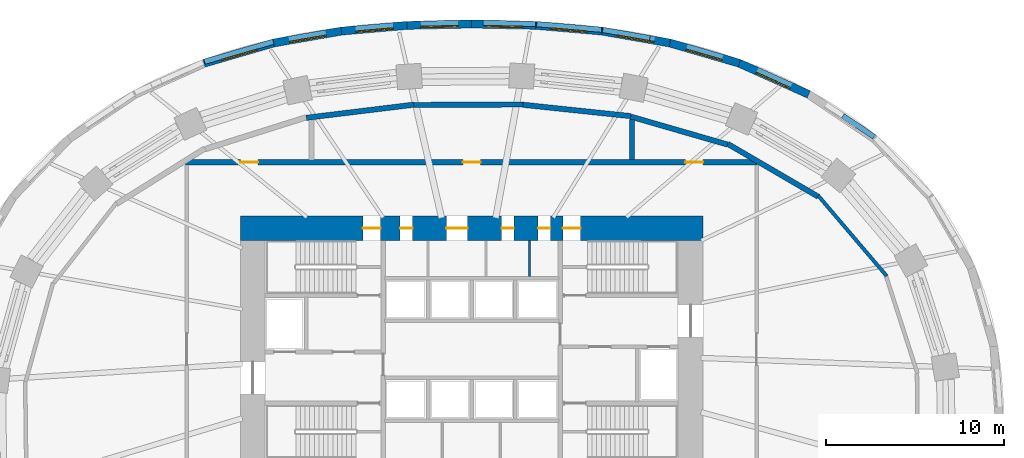
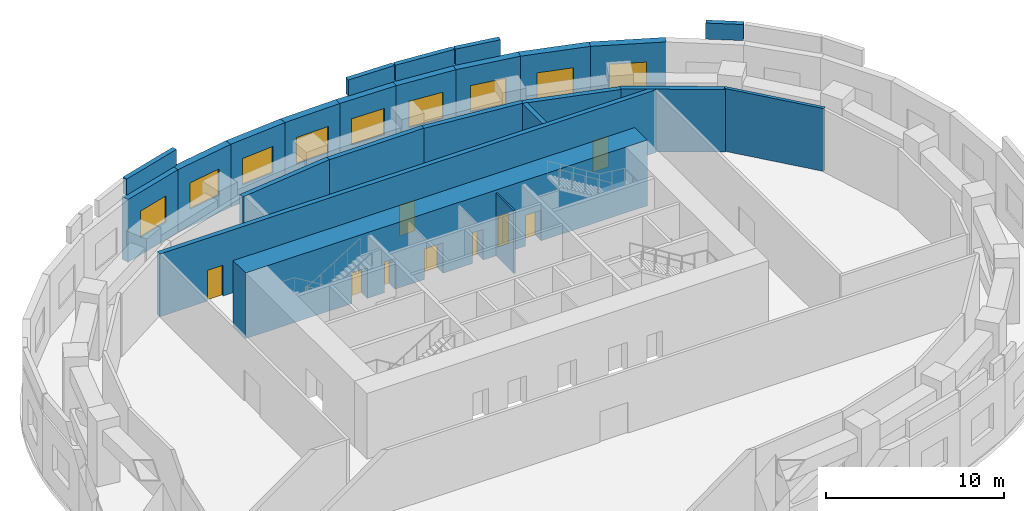
# One storey, part 7 of 9: 24 walls, 9 doors, 9 windows, 18 openings.
"""IFC4 building model written with IfcOpenShell, lengths in metres."""

from ifc_helpers import new_model, si_unit, direction, frame, frame_2d, origin, place, context, subcontext, project, spatial, rectangle, extrude, material, layer, layer_set, type_object, element, fill, save


model = new_model("IFC4")

# Units and contexts
model_context = context("Model", 3, precision=1e-05, world=origin(), true_north=direction((0.0, 1.0)))
body_context = subcontext(model_context, "Body", "Model", "MODEL_VIEW")
ifc_project = project(units=[si_unit("LENGTHUNIT", "METRE"), si_unit("AREAUNIT", "SQUARE_METRE"), si_unit("VOLUMEUNIT", "CUBIC_METRE"), si_unit("PLANEANGLEUNIT", "RADIAN"), si_unit("MASSUNIT", "GRAM", prefix="KILO")], contexts=[model_context])

# Site, building, storey
site_placement = place(None, origin())
site = spatial("IfcSite", under=ifc_project, at=site_placement, CompositionType="ELEMENT")
building_placement = place(site_placement, origin())
building = spatial("IfcBuilding", under=site, at=building_placement, Name="Rubra Terraces Tower", CompositionType="ELEMENT")
storey_placement = place(building_placement, frame((0.0, 0.0, 33.0)))
storey = spatial("IfcBuildingStorey", under=building, at=storey_placement, Name="L05", CompositionType="ELEMENT", Elevation=33.0)

# Wall, opening, window
ifc_material_1 = material(Name="Brick masonry red-brown", Category="masonry")
ifc_layer_1 = layer(ifc_material_1, 0.449951171875)
ifc_layer_set_1 = layer_set([ifc_layer_1], Name="Brick masonry red-brown")
wall_type_1 = type_object("IfcWallType", Name="Brick facade wall 450", PredefinedType="SOLIDWALL", material=ifc_layer_set_1)
wall_1_placement = place(storey_placement, frame((18.93408203125, 18.82080078125, 0.0), z_axis=(0.0, 0.0, 1.0), x_axis=(-0.912571415594, 0.408917365052, 0.0)))
wall_1 = element("IfcWall", 1, at=wall_1_placement, inside=storey, type_object=wall_type_1, Name="Facade wall L05 bay 6", PredefinedType="SOLIDWALL", context=body_context, shape_type="SweptSolid", body=[
    extrude(rectangle(XDim=4.301025390625, YDim=0.449951171875, at=frame_2d((2.150390625, 0.0))), origin(), (0.0, 0.0, 1.0), 4.300048828125),
])
opening_1_placement = place(wall_1_placement, frame((1.1005859375, 0.0, 1.199951171875)))
opening_1 = element("IfcOpeningElement", 2, at=opening_1_placement, cuts=wall_1, Name="Opening W4", PredefinedType="OPENING", context=body_context, shape_type="SweptSolid", body=[
    extrude(rectangle(XDim=2.10009765625, YDim=1.800048828125, at=frame_2d((1.050048828125, 0.89990234375))), frame((0.0, 0.23486328125, 0.0), z_axis=(0.0, -1.0, 0.0), x_axis=(1.0, 0.0, 0.0)), (0.0, 0.0, 1.0), 0.469970703125),
])
ifc_material_2 = material(Name="Clear glass in aluminium frame", Category="aluminium")
window_type = type_object("IfcWindowType", Name="Louvred plant window 2100 x 1800", PartitioningType="SINGLE_PANEL", PredefinedType="WINDOW", material=ifc_material_2)
window_1_placement = place(opening_1_placement, origin())
window_1 = element("IfcWindow", 3, at=window_1_placement, inside=storey, type_object=window_type, Name="Window L05 bay 6", OverallHeight=1.800048828125, OverallWidth=2.10009765625, PartitioningType="SINGLE_PANEL", PredefinedType="WINDOW", context=body_context, shape_type="SweptSolid", body=[
    extrude(rectangle(XDim=2.10009765625, YDim=1.800048828125, at=frame_2d((1.050048828125, 0.89990234375))), frame((0.0, 0.135009765625, 0.0), z_axis=(0.0, -1.0, 0.0), x_axis=(1.0, 0.0, 0.0)), (0.0, 0.0, 1.0), 0.06005859375),
])
fill(opening_1, window_1)

wall_2_placement = place(storey_placement, frame((15.0380859375, 20.569091796875, 0.0), z_axis=(0.0, 0.0, 1.0), x_axis=(-0.960186274122, 0.279360553743, 0.0)))
wall_2 = element("IfcWall", 4, at=wall_2_placement, inside=storey, type_object=wall_type_1, Name="Facade wall L05 bay 7", PredefinedType="SOLIDWALL", context=body_context, shape_type="SweptSolid", body=[
    extrude(rectangle(XDim=4.0908203125, YDim=0.449951171875, at=frame_2d((2.04541015625, 0.0))), origin(), (0.0, 0.0, 1.0), 4.300048828125),
])
opening_2_placement = place(wall_2_placement, frame((0.99560546875, 0.0, 1.199951171875)))
opening_2 = element("IfcOpeningElement", 5, at=opening_2_placement, cuts=wall_2, Name="Opening W4", PredefinedType="OPENING", context=body_context, shape_type="SweptSolid", body=[
    extrude(rectangle(XDim=2.10009765625, YDim=1.800048828125, at=frame_2d((1.050048828125, 0.89990234375))), frame((0.0, 0.23486328125, 0.0), z_axis=(0.0, -1.0, 0.0), x_axis=(1.0, 0.0, 0.0)), (0.0, 0.0, 1.0), 0.469970703125),
])
window_2_placement = place(opening_2_placement, origin())
window_2 = element("IfcWindow", 6, at=window_2_placement, inside=storey, type_object=window_type, Name="Window L05 bay 7", OverallHeight=1.800048828125, OverallWidth=2.10009765625, PartitioningType="SINGLE_PANEL", PredefinedType="WINDOW", context=body_context, shape_type="SweptSolid", body=[
    extrude(rectangle(XDim=2.10009765625, YDim=1.800048828125, at=frame_2d((1.050048828125, 0.89990234375))), frame((0.0, 0.135009765625, 0.0), z_axis=(0.0, -1.0, 0.0), x_axis=(1.0, 0.0, 0.0)), (0.0, 0.0, 1.0), 0.06005859375),
])
fill(opening_2, window_2)

wall_3_placement = place(storey_placement, frame((11.134033203125, 21.706298828125, 0.0), z_axis=(0.0, 0.0, 1.0), x_axis=(-0.984947461591, 0.172853978566, 0.0)))
wall_3 = element("IfcWall", 7, at=wall_3_placement, inside=storey, type_object=wall_type_1, Name="Facade wall L05 bay 8", PredefinedType="SOLIDWALL", context=body_context, shape_type="SweptSolid", body=[
    extrude(rectangle(XDim=3.888427734375, YDim=0.449951171875, at=frame_2d((1.9443359375, 0.0))), origin(), (0.0, 0.0, 1.0), 4.300048828125),
])
opening_3_placement = place(wall_3_placement, frame((0.894287109375, 0.0, 1.199951171875)))
opening_3 = element("IfcOpeningElement", 8, at=opening_3_placement, cuts=wall_3, Name="Opening W4", PredefinedType="OPENING", context=body_context, shape_type="SweptSolid", body=[
    extrude(rectangle(XDim=2.10009765625, YDim=1.800048828125, at=frame_2d((1.050048828125, 0.89990234375))), frame((0.0, 0.23486328125, 0.0), z_axis=(0.0, -1.0, 0.0), x_axis=(1.0, 0.0, 0.0)), (0.0, 0.0, 1.0), 0.469970703125),
])
window_3_placement = place(opening_3_placement, origin())
window_3 = element("IfcWindow", 9, at=window_3_placement, inside=storey, type_object=window_type, Name="Window L05 bay 8", OverallHeight=1.800048828125, OverallWidth=2.10009765625, PartitioningType="SINGLE_PANEL", PredefinedType="WINDOW", context=body_context, shape_type="SweptSolid", body=[
    extrude(rectangle(XDim=2.10009765625, YDim=1.800048828125, at=frame_2d((1.050048828125, 0.89990234375))), frame((0.0, 0.135009765625, 0.0), z_axis=(0.0, -1.0, 0.0), x_axis=(1.0, 0.0, 0.0)), (0.0, 0.0, 1.0), 0.06005859375),
])
fill(opening_3, window_3)

wall_4_placement = place(storey_placement, frame((7.323486328125, 22.375732421875, 0.0), z_axis=(0.0, 0.0, 1.0), x_axis=(-0.996259982326, 0.086406293838, 0.0)))
wall_4 = element("IfcWall", 10, at=wall_4_placement, inside=storey, type_object=wall_type_1, Name="Facade wall L05 bay 9", PredefinedType="SOLIDWALL", context=body_context, shape_type="SweptSolid", body=[
    extrude(rectangle(XDim=3.726806640625, YDim=0.449951171875, at=frame_2d((1.86328125, 0.0))), origin(), (0.0, 0.0, 1.0), 4.300048828125),
])
opening_4_placement = place(wall_4_placement, frame((0.8134765625, 0.0, 1.199951171875)))
opening_4 = element("IfcOpeningElement", 11, at=opening_4_placement, cuts=wall_4, Name="Opening W4", PredefinedType="OPENING", context=body_context, shape_type="SweptSolid", body=[
    extrude(rectangle(XDim=2.10009765625, YDim=1.800048828125, at=frame_2d((1.050048828125, 0.89990234375))), frame((0.0, 0.23486328125, 0.0), z_axis=(0.0, -1.0, 0.0), x_axis=(1.0, 0.0, 0.0)), (0.0, 0.0, 1.0), 0.469970703125),
])
window_4_placement = place(opening_4_placement, origin())
window_4 = element("IfcWindow", 12, at=window_4_placement, inside=storey, type_object=window_type, Name="Window L05 bay 9", OverallHeight=1.800048828125, OverallWidth=2.10009765625, PartitioningType="SINGLE_PANEL", PredefinedType="WINDOW", context=body_context, shape_type="SweptSolid", body=[
    extrude(rectangle(XDim=2.10009765625, YDim=1.800048828125, at=frame_2d((1.050048828125, 0.89990234375))), frame((0.0, 0.135009765625, 0.0), z_axis=(0.0, -1.0, 0.0), x_axis=(1.0, 0.0, 0.0)), (0.0, 0.0, 1.0), 0.06005859375),
])
fill(opening_4, window_4)

wall_5_placement = place(storey_placement, frame((3.625244140625, 22.697021484375, 0.0), z_axis=(0.0, 0.0, 1.0), x_axis=(-0.999769941673, 0.0214490962, 0.0)))
wall_5 = element("IfcWall", 13, at=wall_5_placement, inside=storey, type_object=wall_type_1, Name="Facade wall L05 bay 10", PredefinedType="SOLIDWALL", context=body_context, shape_type="SweptSolid", body=[
    extrude(rectangle(XDim=3.630859375, YDim=0.449951171875, at=frame_2d((1.8154296875, 0.0))), origin(), (0.0, 0.0, 1.0), 4.300048828125),
])
opening_5_placement = place(wall_5_placement, frame((0.765380859375, 0.0, 1.199951171875)))
opening_5 = element("IfcOpeningElement", 14, at=opening_5_placement, cuts=wall_5, Name="Opening W4", PredefinedType="OPENING", context=body_context, shape_type="SweptSolid", body=[
    extrude(rectangle(XDim=2.10009765625, YDim=1.800048828125, at=frame_2d((1.050048828125, 0.89990234375))), frame((0.0, 0.23486328125, 0.0), z_axis=(0.0, -1.0, 0.0), x_axis=(1.0, 0.0, 0.0)), (0.0, 0.0, 1.0), 0.469970703125),
])
window_5_placement = place(opening_5_placement, origin())
window_5 = element("IfcWindow", 15, at=window_5_placement, inside=storey, type_object=window_type, Name="Window L05 bay 10", OverallHeight=1.800048828125, OverallWidth=2.10009765625, PartitioningType="SINGLE_PANEL", PredefinedType="WINDOW", context=body_context, shape_type="SweptSolid", body=[
    extrude(rectangle(XDim=2.10009765625, YDim=1.800048828125, at=frame_2d((1.050048828125, 0.89990234375))), frame((0.0, 0.135009765625, 0.0), z_axis=(0.0, -1.0, 0.0), x_axis=(1.0, 0.0, 0.0)), (0.0, 0.0, 1.0), 0.06005859375),
])
fill(opening_5, window_5)

wall_6_placement = place(storey_placement, frame((0.0048828125, 22.77490234375, 0.0), z_axis=(0.0, 0.0, 1.0), x_axis=(-0.999769941673, -0.0214490962, 0.0)))
wall_6 = element("IfcWall", 16, at=wall_6_placement, inside=storey, type_object=wall_type_1, Name="Facade wall L05 bay 11", PredefinedType="SOLIDWALL", context=body_context, shape_type="SweptSolid", body=[
    extrude(rectangle(XDim=3.630859375, YDim=0.449951171875, at=frame_2d((1.8154296875, 0.0))), origin(), (0.0, 0.0, 1.0), 4.300048828125),
])
opening_6_placement = place(wall_6_placement, frame((0.765380859375, 0.0, 1.199951171875)))
opening_6 = element("IfcOpeningElement", 17, at=opening_6_placement, cuts=wall_6, Name="Opening W4", PredefinedType="OPENING", context=body_context, shape_type="SweptSolid", body=[
    extrude(rectangle(XDim=2.10009765625, YDim=1.800048828125, at=frame_2d((1.050048828125, 0.89990234375))), frame((0.0, 0.23486328125, 0.0), z_axis=(0.0, -1.0, 0.0), x_axis=(1.0, 0.0, 0.0)), (0.0, 0.0, 1.0), 0.469970703125),
])
window_6_placement = place(opening_6_placement, origin())
window_6 = element("IfcWindow", 18, at=window_6_placement, inside=storey, type_object=window_type, Name="Window L05 bay 11", OverallHeight=1.800048828125, OverallWidth=2.10009765625, PartitioningType="SINGLE_PANEL", PredefinedType="WINDOW", context=body_context, shape_type="SweptSolid", body=[
    extrude(rectangle(XDim=2.10009765625, YDim=1.800048828125, at=frame_2d((1.050048828125, 0.89990234375))), frame((0.0, 0.135009765625, 0.0), z_axis=(0.0, -1.0, 0.0), x_axis=(1.0, 0.0, 0.0)), (0.0, 0.0, 1.0), 0.06005859375),
])
fill(opening_6, window_6)

wall_7_placement = place(storey_placement, frame((-3.610595703125, 22.69775390625, 0.0), z_axis=(0.0, 0.0, 1.0), x_axis=(-0.996259982326, -0.086406293838, 0.0)))
wall_7 = element("IfcWall", 19, at=wall_7_placement, inside=storey, type_object=wall_type_1, Name="Facade wall L05 bay 12", PredefinedType="SOLIDWALL", context=body_context, shape_type="SweptSolid", body=[
    extrude(rectangle(XDim=3.726806640625, YDim=0.449951171875, at=frame_2d((1.86328125, 0.0))), origin(), (0.0, 0.0, 1.0), 4.300048828125),
])
opening_7_placement = place(wall_7_placement, frame((0.8134765625, 0.0, 1.199951171875)))
opening_7 = element("IfcOpeningElement", 20, at=opening_7_placement, cuts=wall_7, Name="Opening W4", PredefinedType="OPENING", context=body_context, shape_type="SweptSolid", body=[
    extrude(rectangle(XDim=2.10009765625, YDim=1.800048828125, at=frame_2d((1.050048828125, 0.89990234375))), frame((0.0, 0.23486328125, 0.0), z_axis=(0.0, -1.0, 0.0), x_axis=(1.0, 0.0, 0.0)), (0.0, 0.0, 1.0), 0.469970703125),
])
window_7_placement = place(opening_7_placement, origin())
window_7 = element("IfcWindow", 21, at=window_7_placement, inside=storey, type_object=window_type, Name="Window L05 bay 12", OverallHeight=1.800048828125, OverallWidth=2.10009765625, PartitioningType="SINGLE_PANEL", PredefinedType="WINDOW", context=body_context, shape_type="SweptSolid", body=[
    extrude(rectangle(XDim=2.10009765625, YDim=1.800048828125, at=frame_2d((1.050048828125, 0.89990234375))), frame((0.0, 0.135009765625, 0.0), z_axis=(0.0, -1.0, 0.0), x_axis=(1.0, 0.0, 0.0)), (0.0, 0.0, 1.0), 0.06005859375),
])
fill(opening_7, window_7)

wall_8_placement = place(storey_placement, frame((-7.30419921875, 22.37841796875, 0.0), z_axis=(0.0, 0.0, 1.0), x_axis=(-0.984947461591, -0.172853978566, 0.0)))
wall_8 = element("IfcWall", 22, at=wall_8_placement, inside=storey, type_object=wall_type_1, Name="Facade wall L05 bay 13", PredefinedType="SOLIDWALL", context=body_context, shape_type="SweptSolid", body=[
    extrude(rectangle(XDim=3.888427734375, YDim=0.449951171875, at=frame_2d((1.9443359375, 0.0))), origin(), (0.0, 0.0, 1.0), 4.300048828125),
])
opening_8_placement = place(wall_8_placement, frame((0.894287109375, 0.0, 1.199951171875)))
opening_8 = element("IfcOpeningElement", 23, at=opening_8_placement, cuts=wall_8, Name="Opening W4", PredefinedType="OPENING", context=body_context, shape_type="SweptSolid", body=[
    extrude(rectangle(XDim=2.10009765625, YDim=1.800048828125, at=frame_2d((1.050048828125, 0.89990234375))), frame((0.0, 0.23486328125, 0.0), z_axis=(0.0, -1.0, 0.0), x_axis=(1.0, 0.0, 0.0)), (0.0, 0.0, 1.0), 0.469970703125),
])
window_8_placement = place(opening_8_placement, origin())
window_8 = element("IfcWindow", 24, at=window_8_placement, inside=storey, type_object=window_type, Name="Window L05 bay 13", OverallHeight=1.800048828125, OverallWidth=2.10009765625, PartitioningType="SINGLE_PANEL", PredefinedType="WINDOW", context=body_context, shape_type="SweptSolid", body=[
    extrude(rectangle(XDim=2.10009765625, YDim=1.800048828125, at=frame_2d((1.050048828125, 0.89990234375))), frame((0.0, 0.135009765625, 0.0), z_axis=(0.0, -1.0, 0.0), x_axis=(1.0, 0.0, 0.0)), (0.0, 0.0, 1.0), 0.06005859375),
])
fill(opening_8, window_8)

wall_9_placement = place(storey_placement, frame((-11.110107421875, 21.7119140625, 0.0), z_axis=(0.0, 0.0, 1.0), x_axis=(-0.960186274122, -0.279360553743, 0.0)))
wall_9 = element("IfcWall", 25, at=wall_9_placement, inside=storey, type_object=wall_type_1, Name="Facade wall L05 bay 14", PredefinedType="SOLIDWALL", context=body_context, shape_type="SweptSolid", body=[
    extrude(rectangle(XDim=4.0908203125, YDim=0.449951171875, at=frame_2d((2.04541015625, 0.0))), origin(), (0.0, 0.0, 1.0), 4.300048828125),
])
opening_9_placement = place(wall_9_placement, frame((0.99560546875, 0.0, 1.199951171875)))
opening_9 = element("IfcOpeningElement", 26, at=opening_9_placement, cuts=wall_9, Name="Opening W4", PredefinedType="OPENING", context=body_context, shape_type="SweptSolid", body=[
    extrude(rectangle(XDim=2.10009765625, YDim=1.800048828125, at=frame_2d((1.050048828125, 0.89990234375))), frame((0.0, 0.23486328125, 0.0), z_axis=(0.0, -1.0, 0.0), x_axis=(1.0, 0.0, 0.0)), (0.0, 0.0, 1.0), 0.469970703125),
])
window_9_placement = place(opening_9_placement, origin())
window_9 = element("IfcWindow", 27, at=window_9_placement, inside=storey, type_object=window_type, Name="Window L05 bay 14", OverallHeight=1.800048828125, OverallWidth=2.10009765625, PartitioningType="SINGLE_PANEL", PredefinedType="WINDOW", context=body_context, shape_type="SweptSolid", body=[
    extrude(rectangle(XDim=2.10009765625, YDim=1.800048828125, at=frame_2d((1.050048828125, 0.89990234375))), frame((0.0, 0.135009765625, 0.0), z_axis=(0.0, -1.0, 0.0), x_axis=(1.0, 0.0, 0.0)), (0.0, 0.0, 1.0), 0.06005859375),
])
fill(opening_9, window_9)

# Walls
ifc_layer_2 = layer(ifc_material_1, 0.300048828125)
ifc_layer_set_2 = layer_set([ifc_layer_2], Name="Brick masonry red-brown")
wall_type_2 = type_object("IfcWallType", Name="Brick parapet 300", PredefinedType="PARAPET", material=ifc_layer_set_2)
wall_10_placement = place(storey_placement, frame((22.60400390625, 16.43115234375, 4.5), z_axis=(0.0, 0.0, 1.0), x_axis=(-0.828996540303, 0.559253731473, 0.0)))
element("IfcWall", 28, at=wall_10_placement, inside=storey, type_object=wall_type_2, Name="Parapet L05 bay 5", PredefinedType="PARAPET", context=body_context, shape_type="SweptSolid", body=[
    extrude(rectangle(XDim=2.124267578125, YDim=0.300048828125, at=frame_2d((1.06201171875, 0.0))), origin(), (0.0, 0.0, 1.0), 1.10009765625),
])
wall_11_placement = place(storey_placement, frame((10.010498046875, 21.979736328125, 4.5), z_axis=(0.0, 0.0, 1.0), x_axis=(-0.984955670295, 0.172807197634, 0.0)))
element("IfcWall", 29, at=wall_11_placement, inside=storey, type_object=wall_type_2, Name="Parapet L05 bay 8", PredefinedType="PARAPET", context=body_context, shape_type="SweptSolid", body=[
    extrude(rectangle(XDim=2.69140625, YDim=0.300048828125, at=frame_2d((1.345703125, 0.0))), origin(), (0.0, 0.0, 1.0), 1.10009765625),
])
wall_12_placement = place(storey_placement, frame((7.287109375, 22.454345703125, 4.5), z_axis=(0.0, 0.0, 1.0), x_axis=(-0.996264431799, 0.086354976302, 0.0)))
element("IfcWall", 30, at=wall_12_placement, inside=storey, type_object=wall_type_2, Name="Parapet L05 bay 9", PredefinedType="PARAPET", context=body_context, shape_type="SweptSolid", body=[
    extrude(rectangle(XDim=3.644287109375, YDim=0.300048828125, at=frame_2d((1.822265625, 0.0))), origin(), (0.0, 0.0, 1.0), 1.10009765625),
])
wall_13_placement = place(storey_placement, frame((3.5869140625, 22.77294921875, 4.5), z_axis=(0.0, 0.0, 1.0), x_axis=(-0.999770879002, 0.021405361467, 0.0)))
element("IfcWall", 31, at=wall_13_placement, inside=storey, type_object=wall_type_2, Name="Parapet L05 bay 10", PredefinedType="PARAPET", context=body_context, shape_type="SweptSolid", body=[
    extrude(rectangle(XDim=2.9541015625, YDim=0.300048828125, at=frame_2d((1.47705078125, 0.0))), origin(), (0.0, 0.0, 1.0), 1.10009765625),
])
wall_14_placement = place(storey_placement, frame((-11.142333984375, 21.78076171875, 4.5), z_axis=(0.0, 0.0, 1.0), x_axis=(-0.960176970579, -0.279392528837, 0.0)))
element("IfcWall", 32, at=wall_14_placement, inside=storey, type_object=wall_type_2, Name="Parapet L05 bay 14", PredefinedType="PARAPET", context=body_context, shape_type="SweptSolid", body=[
    extrude(rectangle(XDim=4.0283203125, YDim=0.300048828125, at=frame_2d((2.01416015625, 0.0))), origin(), (0.0, 0.0, 1.0), 1.10009765625),
])

# Wall, openings, doors
ifc_material_3 = material(Name="Concrete C70", Category="concrete")
ifc_layer_3 = layer(ifc_material_3, 1.39990234375)
ifc_layer_set_3 = layer_set([ifc_layer_3], Name="Concrete C70")
wall_type_3 = type_object("IfcWallType", Name="CORE WALL 1400 C70", PredefinedType="SHEAR", material=ifc_layer_set_3)
wall_15_placement = place(storey_placement, frame((-13.0, 11.300048828125, 0.0), z_axis=(0.0, 0.0, 1.0), x_axis=(1.0, 0.0, 0.0)))
wall_15 = element("IfcWall", 33, at=wall_15_placement, inside=storey, type_object=wall_type_3, Name="CORE WALL N L05", PredefinedType="SHEAR", context=body_context, shape_type="SweptSolid", body=[
    extrude(rectangle(XDim=26.0, YDim=1.39990234375, at=frame_2d((13.0, 0.0))), origin(), (0.0, 0.0, 1.0), 4.5),
])
opening_10_placement = place(wall_15_placement, frame((8.97509765625, 0.0, 0.0)))
opening_10 = element("IfcOpeningElement", 34, at=opening_10_placement, cuts=wall_15, Name="Opening L05.C16", PredefinedType="OPENING", context=body_context, shape_type="SweptSolid", body=[
    extrude(rectangle(XDim=0.699951171875, YDim=2.10009765625, at=frame_2d((0.35009765625, 1.050048828125))), frame((0.0, 0.7099609375, 0.0), z_axis=(0.0, -1.0, 0.0), x_axis=(1.0, 0.0, 0.0)), (0.0, 0.0, 1.0), 1.419921875),
])
opening_11_placement = place(wall_15_placement, frame((11.574951171875, 0.0, 0.0)))
opening_11 = element("IfcOpeningElement", 35, at=opening_11_placement, cuts=wall_15, Name="Opening L05.C17", PredefinedType="OPENING", context=body_context, shape_type="SweptSolid", body=[
    extrude(rectangle(XDim=1.199951171875, YDim=2.10009765625, at=frame_2d((0.60009765625, 1.050048828125))), frame((0.0, 0.7099609375, 0.0), z_axis=(0.0, -1.0, 0.0), x_axis=(1.0, 0.0, 0.0)), (0.0, 0.0, 1.0), 1.419921875),
])
opening_12_placement = place(wall_15_placement, frame((14.675048828125, 0.0, 0.0)))
opening_12 = element("IfcOpeningElement", 36, at=opening_12_placement, cuts=wall_15, Name="Opening L05.C18", PredefinedType="OPENING", context=body_context, shape_type="SweptSolid", body=[
    extrude(rectangle(XDim=0.699951171875, YDim=2.10009765625, at=frame_2d((0.35009765625, 1.050048828125))), frame((0.0, 0.7099609375, 0.0), z_axis=(0.0, -1.0, 0.0), x_axis=(1.0, 0.0, 0.0)), (0.0, 0.0, 1.0), 1.419921875),
])
opening_13_placement = place(wall_15_placement, frame((16.72509765625, 0.0, 0.0)))
opening_13 = element("IfcOpeningElement", 37, at=opening_13_placement, cuts=wall_15, Name="Opening L05.C19", PredefinedType="OPENING", context=body_context, shape_type="SweptSolid", body=[
    extrude(rectangle(XDim=0.699951171875, YDim=2.10009765625, at=frame_2d((0.35009765625, 1.050048828125))), frame((0.0, 0.7099609375, 0.0), z_axis=(0.0, -1.0, 0.0), x_axis=(1.0, 0.0, 0.0)), (0.0, 0.0, 1.0), 1.419921875),
])
opening_14_placement = place(wall_15_placement, frame((6.8798828125, 0.0, 0.0)))
opening_14 = element("IfcOpeningElement", 38, at=opening_14_placement, cuts=wall_15, Name="Opening L05.C21", PredefinedType="OPENING", context=body_context, shape_type="SweptSolid", body=[
    extrude(rectangle(XDim=1.0, YDim=2.10009765625, at=frame_2d((0.5, 1.050048828125))), frame((0.0, 0.7099609375, 0.0), z_axis=(0.0, -1.0, 0.0), x_axis=(1.0, 0.0, 0.0)), (0.0, 0.0, 1.0), 1.419921875),
])
opening_15_placement = place(wall_15_placement, frame((18.1201171875, 0.0, 0.0)))
opening_15 = element("IfcOpeningElement", 39, at=opening_15_placement, cuts=wall_15, Name="Opening L05.C22", PredefinedType="OPENING", context=body_context, shape_type="SweptSolid", body=[
    extrude(rectangle(XDim=1.0, YDim=2.10009765625, at=frame_2d((0.5, 1.050048828125))), frame((0.0, 0.7099609375, 0.0), z_axis=(0.0, -1.0, 0.0), x_axis=(1.0, 0.0, 0.0)), (0.0, 0.0, 1.0), 1.419921875),
])
ifc_material_4 = material(Name="Painted steel", Category="steel")
door_type_1 = type_object("IfcDoorType", Name="Fire door 1000x2100 single", OperationType="NOTDEFINED", PredefinedType="DOOR", material=ifc_material_4)
door_1_placement = place(opening_14_placement, origin())
door_1 = element("IfcDoor", 40, at=door_1_placement, inside=storey, type_object=door_type_1, Name="Stair S2 refuge door", OperationType="SINGLE_SWING_LEFT", OverallHeight=2.10009765625, OverallWidth=1.0, PredefinedType="DOOR", context=body_context, shape_type="SweptSolid", body=[
    extrude(rectangle(XDim=1.0, YDim=2.10009765625, at=frame_2d((0.5, 1.050048828125))), frame((0.0, 0.02490234375, 0.0), z_axis=(0.0, -1.0, 0.0), x_axis=(1.0, 0.0, 0.0)), (0.0, 0.0, 1.0), 0.050048828125),
])
fill(opening_14, door_1)
door_2_placement = place(opening_15_placement, origin())
door_2 = element("IfcDoor", 41, at=door_2_placement, inside=storey, type_object=door_type_1, Name="Stair S3 refuge door", OperationType="SINGLE_SWING_RIGHT", OverallHeight=2.10009765625, OverallWidth=1.0, PredefinedType="DOOR", context=body_context, shape_type="SweptSolid", body=[
    extrude(rectangle(XDim=1.0, YDim=2.10009765625, at=frame_2d((0.5, 1.050048828125))), frame((0.0, 0.02490234375, 0.0), z_axis=(0.0, -1.0, 0.0), x_axis=(1.0, 0.0, 0.0)), (0.0, 0.0, 1.0), 0.050048828125),
])
fill(opening_15, door_2)
door_type_2 = type_object("IfcDoorType", Name="Fire door 1200x2100 single", OperationType="NOTDEFINED", PredefinedType="DOOR", material=ifc_material_4)
door_3_placement = place(opening_11_placement, origin())
door_3 = element("IfcDoor", 42, at=door_3_placement, inside=storey, type_object=door_type_2, Name="Air handling plant room door", OperationType="SINGLE_SWING_LEFT", OverallHeight=2.10009765625, OverallWidth=1.199951171875, PredefinedType="DOOR", context=body_context, shape_type="SweptSolid", body=[
    extrude(rectangle(XDim=1.199951171875, YDim=2.10009765625, at=frame_2d((0.60009765625, 1.050048828125))), frame((0.0, 0.02490234375, 0.0), z_axis=(0.0, -1.0, 0.0), x_axis=(1.0, 0.0, 0.0)), (0.0, 0.0, 1.0), 0.050048828125),
])
fill(opening_11, door_3)
door_type_3 = type_object("IfcDoorType", Name="Riser access door 700x2100 single", OperationType="NOTDEFINED", PredefinedType="DOOR", material=ifc_material_4)
door_4_placement = place(opening_10_placement, origin())
door_4 = element("IfcDoor", 43, at=door_4_placement, inside=storey, type_object=door_type_3, Name="M&E riser room door", OperationType="SINGLE_SWING_RIGHT", OverallHeight=2.10009765625, OverallWidth=0.699951171875, PredefinedType="DOOR", context=body_context, shape_type="SweptSolid", body=[
    extrude(rectangle(XDim=0.699951171875, YDim=2.10009765625, at=frame_2d((0.35009765625, 1.050048828125))), frame((0.0, 0.02490234375, 0.0), z_axis=(0.0, -1.0, 0.0), x_axis=(1.0, 0.0, 0.0)), (0.0, 0.0, 1.0), 0.050048828125),
])
fill(opening_10, door_4)
door_5_placement = place(opening_12_placement, origin())
door_5 = element("IfcDoor", 44, at=door_5_placement, inside=storey, type_object=door_type_3, Name="Telecoms room door", OperationType="SINGLE_SWING_RIGHT", OverallHeight=2.10009765625, OverallWidth=0.699951171875, PredefinedType="DOOR", context=body_context, shape_type="SweptSolid", body=[
    extrude(rectangle(XDim=0.699951171875, YDim=2.10009765625, at=frame_2d((0.35009765625, 1.050048828125))), frame((0.0, 0.02490234375, 0.0), z_axis=(0.0, -1.0, 0.0), x_axis=(1.0, 0.0, 0.0)), (0.0, 0.0, 1.0), 0.050048828125),
])
fill(opening_12, door_5)
door_6_placement = place(opening_13_placement, origin())
door_6 = element("IfcDoor", 45, at=door_6_placement, inside=storey, type_object=door_type_3, Name="Mechanical riser (water and drainage) door", OperationType="SINGLE_SWING_LEFT", OverallHeight=2.10009765625, OverallWidth=0.699951171875, PredefinedType="DOOR", context=body_context, shape_type="SweptSolid", body=[
    extrude(rectangle(XDim=0.699951171875, YDim=2.10009765625, at=frame_2d((0.35009765625, 1.050048828125))), frame((0.0, 0.02490234375, 0.0), z_axis=(0.0, -1.0, 0.0), x_axis=(1.0, 0.0, 0.0)), (0.0, 0.0, 1.0), 0.050048828125),
])
fill(opening_13, door_6)

# Wall
ifc_material_5 = material(Name="Blockwork", Category="masonry")
ifc_layer_4 = layer(ifc_material_5, 0.199951171875)
ifc_layer_set_4 = layer_set([ifc_layer_4], Name="Blockwork")
wall_type_4 = type_object("IfcWallType", Name="Corridor partition 200 blockwork", PredefinedType="PARTITIONING", material=ifc_layer_set_4)
wall_16_placement = place(storey_placement, frame((19.4619140625, 13.135009765625, 0.0), z_axis=(0.0, 0.0, 1.0), x_axis=(0.648575792529, -0.761150078069, 0.0)))
element("IfcWall", 46, at=wall_16_placement, inside=storey, type_object=wall_type_4, Name="Partition wall", PredefinedType="PARTITIONING", context=body_context, shape_type="SweptSolid", body=[
    extrude(rectangle(XDim=5.942138671875, YDim=0.199951171875, at=frame_2d((2.97119140625, 0.0))), origin(), (0.0, 0.0, 1.0), 4.300048828125),
])

# Wall, openings, doors
ifc_layer_5 = layer(ifc_material_5, 0.300048828125)
ifc_layer_set_5 = layer_set([ifc_layer_5], Name="Blockwork")
wall_type_5 = type_object("IfcWallType", Name="Plant wall 300 blockwork", PredefinedType="SOLIDWALL", material=ifc_layer_set_5)
wall_17_placement = place(storey_placement, frame((-16.089111328125, 15.0, 0.0), z_axis=(0.0, 0.0, 1.0), x_axis=(1.0, 0.0, 0.0)))
wall_17 = element("IfcWall", 47, at=wall_17_placement, inside=storey, type_object=wall_type_5, Name="Plant room wall", PredefinedType="SOLIDWALL", context=body_context, shape_type="SweptSolid", body=[
    extrude(rectangle(XDim=32.105224609375, YDim=0.300048828125, at=frame_2d((16.052734375, 0.0))), origin(), (0.0, 0.0, 1.0), 4.300048828125),
])
opening_16_placement = place(wall_17_placement, frame((3.089111328125, 0.0, 0.0)))
opening_16 = element("IfcOpeningElement", 48, at=opening_16_placement, cuts=wall_17, Name="Opening DB1", PredefinedType="OPENING", context=body_context, shape_type="SweptSolid", body=[
    extrude(rectangle(XDim=1.0, YDim=2.10009765625, at=frame_2d((0.5, 1.050048828125))), frame((0.0, 0.159912109375, 0.0), z_axis=(0.0, -1.0, 0.0), x_axis=(1.0, 0.0, 0.0)), (0.0, 0.0, 1.0), 0.320068359375),
])
opening_17_placement = place(wall_17_placement, frame((15.589111328125, 0.0, 0.0)))
opening_17 = element("IfcOpeningElement", 49, at=opening_17_placement, cuts=wall_17, Name="Opening DB1", PredefinedType="OPENING", context=body_context, shape_type="SweptSolid", body=[
    extrude(rectangle(XDim=1.0, YDim=2.10009765625, at=frame_2d((0.5, 1.050048828125))), frame((0.0, 0.159912109375, 0.0), z_axis=(0.0, -1.0, 0.0), x_axis=(1.0, 0.0, 0.0)), (0.0, 0.0, 1.0), 0.320068359375),
])
opening_18_placement = place(wall_17_placement, frame((28.089111328125, 0.0, 0.0)))
opening_18 = element("IfcOpeningElement", 50, at=opening_18_placement, cuts=wall_17, Name="Opening DB1", PredefinedType="OPENING", context=body_context, shape_type="SweptSolid", body=[
    extrude(rectangle(XDim=1.0, YDim=2.10009765625, at=frame_2d((0.5, 1.050048828125))), frame((0.0, 0.159912109375, 0.0), z_axis=(0.0, -1.0, 0.0), x_axis=(1.0, 0.0, 0.0)), (0.0, 0.0, 1.0), 0.320068359375),
])
ifc_material_6 = material(Name="Painted timber", Category="wood")
door_type_4 = type_object("IfcDoorType", Name="Door 1000x2100 single", OperationType="NOTDEFINED", PredefinedType="DOOR", material=ifc_material_6)
door_7_placement = place(opening_16_placement, origin())
door_7 = element("IfcDoor", 51, at=door_7_placement, inside=storey, type_object=door_type_4, Name="Plant room door L05-04", OperationType="SINGLE_SWING_LEFT", OverallHeight=2.10009765625, OverallWidth=1.0, PredefinedType="DOOR", context=body_context, shape_type="SweptSolid", body=[
    extrude(rectangle(XDim=1.0, YDim=2.10009765625, at=frame_2d((0.5, 1.050048828125))), frame((0.0, 0.02490234375, 0.0), z_axis=(0.0, -1.0, 0.0), x_axis=(1.0, 0.0, 0.0)), (0.0, 0.0, 1.0), 0.050048828125),
])
fill(opening_16, door_7)
door_8_placement = place(opening_17_placement, origin())
door_8 = element("IfcDoor", 52, at=door_8_placement, inside=storey, type_object=door_type_4, Name="Plant room door L05-05", OperationType="SINGLE_SWING_LEFT", OverallHeight=2.10009765625, OverallWidth=1.0, PredefinedType="DOOR", context=body_context, shape_type="SweptSolid", body=[
    extrude(rectangle(XDim=1.0, YDim=2.10009765625, at=frame_2d((0.5, 1.050048828125))), frame((0.0, 0.02490234375, 0.0), z_axis=(0.0, -1.0, 0.0), x_axis=(1.0, 0.0, 0.0)), (0.0, 0.0, 1.0), 0.050048828125),
])
fill(opening_17, door_8)
door_9_placement = place(opening_18_placement, origin())
door_9 = element("IfcDoor", 53, at=door_9_placement, inside=storey, type_object=door_type_4, Name="Plant room door L05-06", OperationType="SINGLE_SWING_LEFT", OverallHeight=2.10009765625, OverallWidth=1.0, PredefinedType="DOOR", context=body_context, shape_type="SweptSolid", body=[
    extrude(rectangle(XDim=1.0, YDim=2.10009765625, at=frame_2d((0.5, 1.050048828125))), frame((0.0, 0.02490234375, 0.0), z_axis=(0.0, -1.0, 0.0), x_axis=(1.0, 0.0, 0.0)), (0.0, 0.0, 1.0), 0.050048828125),
])
fill(opening_18, door_9)

# Walls
wall_18_placement = place(storey_placement, frame((14.39208984375, 16.034912109375, 0.0), z_axis=(0.0, 0.0, 1.0), x_axis=(0.863774384703, -0.503878767493, 0.0)))
element("IfcWall", 54, at=wall_18_placement, inside=storey, type_object=wall_type_5, Name="Plant room wall", PredefinedType="SOLIDWALL", context=body_context, shape_type="SweptSolid", body=[
    extrude(rectangle(XDim=5.882080078125, YDim=0.300048828125, at=frame_2d((2.94091796875, 0.0))), origin(), (0.0, 0.0, 1.0), 4.300048828125),
])
wall_19_placement = place(storey_placement, frame((-9.291015625, 17.506103515625, 0.0), z_axis=(0.0, 0.0, 1.0), x_axis=(0.992641284561, 0.12109203188, 0.0)))
element("IfcWall", 55, at=wall_19_placement, inside=storey, type_object=wall_type_5, Name="Plant room wall", PredefinedType="SOLIDWALL", context=body_context, shape_type="SweptSolid", body=[
    extrude(rectangle(XDim=6.07666015625, YDim=0.300048828125, at=frame_2d((3.038330078125, 0.0))), origin(), (0.0, 0.0, 1.0), 4.300048828125),
])
wall_20_placement = place(storey_placement, frame((-3.258056640625, 18.22509765625, 0.0), z_axis=(0.0, 0.0, 1.0), x_axis=(0.999988230875, 0.004851609169, 0.0)))
element("IfcWall", 56, at=wall_20_placement, inside=storey, type_object=wall_type_5, Name="Plant room wall", PredefinedType="SOLIDWALL", context=body_context, shape_type="SweptSolid", body=[
    extrude(rectangle(XDim=6.13916015625, YDim=0.300048828125, at=frame_2d((3.069580078125, 0.0))), origin(), (0.0, 0.0, 1.0), 4.300048828125),
])
wall_21_placement = place(storey_placement, frame((2.8798828125, 18.238037109375, 0.0), z_axis=(0.0, 0.0, 1.0), x_axis=(0.994496001262, -0.10477453638, 0.0)))
element("IfcWall", 57, at=wall_21_placement, inside=storey, type_object=wall_type_5, Name="Plant room wall", PredefinedType="SOLIDWALL", context=body_context, shape_type="SweptSolid", body=[
    extrude(rectangle(XDim=6.088623046875, YDim=0.300048828125, at=frame_2d((3.04443359375, 0.0))), origin(), (0.0, 0.0, 1.0), 4.300048828125),
])
wall_22_placement = place(storey_placement, frame((8.929931640625, 17.573974609375, 0.0), z_axis=(0.0, 0.0, 1.0), x_axis=(0.960754989582, -0.277398359752, 0.0)))
element("IfcWall", 58, at=wall_22_placement, inside=storey, type_object=wall_type_5, Name="Plant room wall", PredefinedType="SOLIDWALL", context=body_context, shape_type="SweptSolid", body=[
    extrude(rectangle(XDim=5.670654296875, YDim=0.300048828125, at=frame_2d((2.83544921875, 0.0))), origin(), (0.0, 0.0, 1.0), 4.300048828125),
])
wall_23_placement = place(storey_placement, frame((9.0, 17.404052734375, 0.0), z_axis=(0.0, 0.0, 1.0), x_axis=(0.0, -1.0, 0.0)))
element("IfcWall", 59, at=wall_23_placement, inside=storey, type_object=wall_type_5, Name="Plant room wall", PredefinedType="SOLIDWALL", context=body_context, shape_type="SweptSolid", body=[
    extrude(rectangle(XDim=2.254150390625, YDim=0.300048828125, at=frame_2d((1.126953125, 0.0))), origin(), (0.0, 0.0, 1.0), 4.300048828125),
])
ifc_layer_6 = layer(ifc_material_5, 0.10009765625)
ifc_layer_set_6 = layer_set([ifc_layer_6], Name="Blockwork")
wall_type_6 = type_object("IfcWallType", Name="Service partition 100 blockwork", PredefinedType="PARTITIONING", material=ifc_layer_set_6)
wall_24_placement = place(storey_placement, frame((3.25, 8.60009765625, 0.0), z_axis=(0.0, 0.0, 1.0), x_axis=(0.0, 1.0, 0.0)))
element("IfcWall", 60, at=wall_24_placement, inside=storey, type_object=wall_type_6, Name="SERVICE ROOM PARTITION L05", PredefinedType="PARTITIONING", context=body_context, shape_type="SweptSolid", body=[
    extrude(rectangle(XDim=2.0, YDim=0.10009765625, at=frame_2d((1.0, 0.0))), origin(), (0.0, 0.0, 1.0), 4.300048828125),
])

save(model, "model.ifc")
